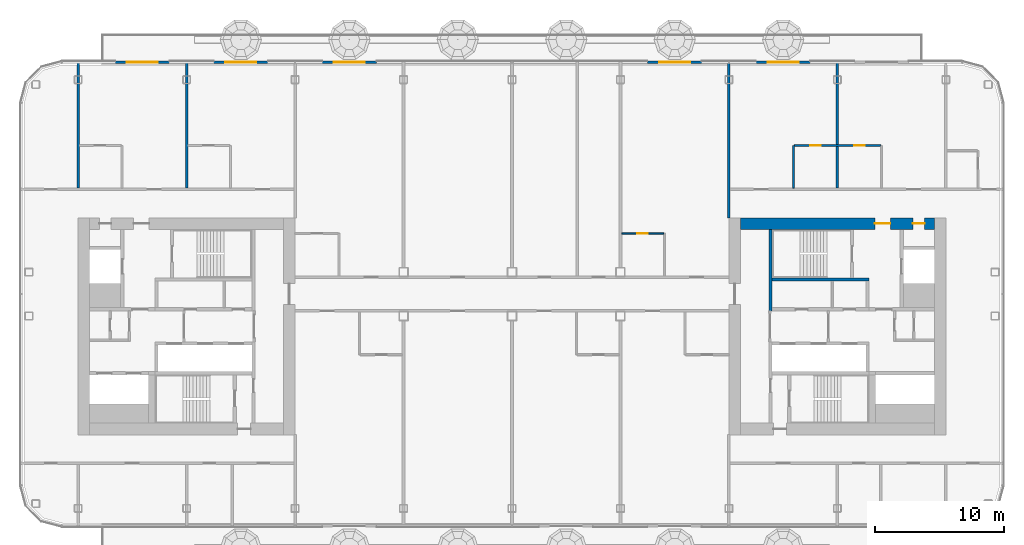
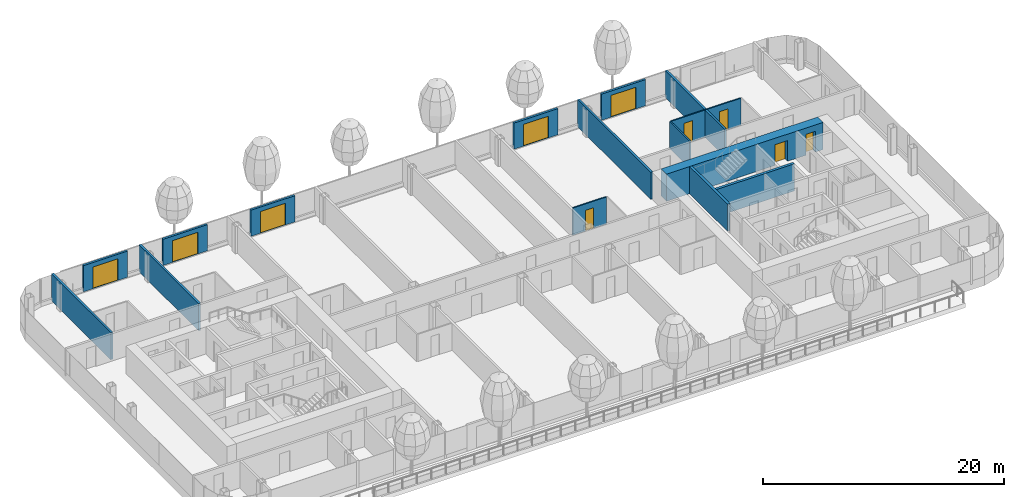
# One storey, part 14 of 28: 15 walls, 10 doors, 10 openings, 1 element without a shape of its own.
"""IFC4 building model written with IfcOpenShell, lengths in metres."""

from ifc_helpers import new_model, si_unit, direction, frame, frame_2d, origin, place, context, subcontext, project, spatial, rectangle, extrude, material, layer, layer_set, type_object, element, fill, aggregate, save


model = new_model("IFC4")

# Units and contexts
model_context = context("Model", 3, precision=1e-05, world=origin(), true_north=direction((0.0, 1.0)))
body_context = subcontext(model_context, "Body", "Model", "MODEL_VIEW")
ifc_project = project(units=[si_unit("LENGTHUNIT", "METRE"), si_unit("AREAUNIT", "SQUARE_METRE"), si_unit("VOLUMEUNIT", "CUBIC_METRE"), si_unit("PLANEANGLEUNIT", "RADIAN"), si_unit("MASSUNIT", "GRAM", prefix="KILO")], contexts=[model_context])

# Site, building, storey
site_placement = place(None, origin())
site = spatial("IfcSite", under=ifc_project, at=site_placement, CompositionType="ELEMENT")
building_placement = place(site_placement, origin())
building = spatial("IfcBuilding", under=site, at=building_placement, Name="Hakoniwa Tower and Hamabe Station Hall", CompositionType="ELEMENT")
storey_placement = place(building_placement, frame((0.0, 0.0, 218.60009765625)))
storey = spatial("IfcBuildingStorey", under=building, at=storey_placement, Name="L62", CompositionType="ELEMENT", Elevation=218.60009765625)

# Wall, opening, door
ifc_material_1 = material(Name="Gypsum board partition", Category="gypsum")
ifc_layer_1 = layer(ifc_material_1, 0.125)
ifc_layer_set_1 = layer_set([ifc_layer_1], Name="Bathroom Partition 125")
wall_type_1 = type_object("IfcWallType", Name="Bathroom Partition 125", PredefinedType="PARTITIONING", material=ifc_layer_set_1)
wall_1_placement = place(storey_placement, frame((8.5, 7.199951171875, 0.0), z_axis=(0.0, 0.0, 1.0), x_axis=(1.0, 0.0, 0.0)))
wall_1 = element("IfcWall", 1, at=wall_1_placement, inside=storey, type_object=wall_type_1, Name="GW-L62-009", PredefinedType="PARTITIONING", context=body_context, shape_type="SweptSolid", body=[
    extrude(rectangle(XDim=3.237548828125, YDim=0.125, at=frame_2d((1.61865234375, 0.0))), origin(), (0.0, 0.0, 1.0), 2.75),
])
opening_1_placement = place(wall_1_placement, frame((1.199951171875, 0.0, 0.0)))
opening_1 = element("IfcOpeningElement", 2, at=opening_1_placement, cuts=wall_1, Name="Opening GD-G4A2-22", PredefinedType="OPENING", context=body_context, shape_type="SweptSolid", body=[
    extrude(rectangle(XDim=0.800048828125, YDim=2.10009765625, at=frame_2d((0.39990234375, 1.050048828125))), frame((0.0, 0.072509765625, 0.0), z_axis=(0.0, -1.0, 0.0), x_axis=(1.0, 0.0, 0.0)), (0.0, 0.0, 1.0), 0.14501953125),
])
ifc_material_2 = material(Name="Timber door leaf", Category="wood")
door_type_1 = type_object("IfcDoorType", Name="Bathroom Door 800", OperationType="SINGLE_SWING_LEFT", PredefinedType="DOOR", material=ifc_material_2)
door_1_placement = place(opening_1_placement, origin())
door_1 = element("IfcDoor", 3, at=door_1_placement, inside=storey, type_object=door_type_1, Name="Door GD-G4A2-22", OperationType="SINGLE_SWING_RIGHT", OverallHeight=2.10009765625, OverallWidth=0.800048828125, PredefinedType="DOOR", context=body_context, shape_type="SweptSolid", body=[
    extrude(rectangle(XDim=0.800048828125, YDim=2.10009765625, at=frame_2d((0.39990234375, 1.050048828125))), frame((0.0, 0.02490234375, 0.0), z_axis=(0.0, -1.0, 0.0), x_axis=(1.0, 0.0, 0.0)), (0.0, 0.0, 1.0), 0.050048828125),
])
fill(opening_1, door_1)

# Wall, openings, doors
wall_2_placement = place(storey_placement, frame((21.862548828125, 14.0, 0.0), z_axis=(0.0, 0.0, 1.0), x_axis=(1.0, 0.0, 0.0)))
wall_2 = element("IfcWall", 4, at=wall_2_placement, inside=storey, type_object=wall_type_1, Name="GW-L62-015", PredefinedType="PARTITIONING", context=body_context, shape_type="SweptSolid", body=[
    extrude(rectangle(XDim=6.675048828125, YDim=0.125, at=frame_2d((3.33740234375, 0.0))), origin(), (0.0, 0.0, 1.0), 2.75),
])
opening_2_placement = place(wall_2_placement, frame((1.237548828125, 0.0, 0.0)))
opening_2 = element("IfcOpeningElement", 5, at=opening_2_placement, cuts=wall_2, Name="Opening GD-G4A2-31", PredefinedType="OPENING", context=body_context, shape_type="SweptSolid", body=[
    extrude(rectangle(XDim=0.800048828125, YDim=2.10009765625, at=frame_2d((0.39990234375, 1.050048828125))), frame((0.0, 0.072509765625, 0.0), z_axis=(0.0, -1.0, 0.0), x_axis=(1.0, 0.0, 0.0)), (0.0, 0.0, 1.0), 0.14501953125),
])
opening_3_placement = place(wall_2_placement, frame((4.637451171875, 0.0, 0.0)))
opening_3 = element("IfcOpeningElement", 6, at=opening_3_placement, cuts=wall_2, Name="Opening GD-G4A2-32", PredefinedType="OPENING", context=body_context, shape_type="SweptSolid", body=[
    extrude(rectangle(XDim=0.800048828125, YDim=2.10009765625, at=frame_2d((0.39990234375, 1.050048828125))), frame((0.0, 0.072509765625, 0.0), z_axis=(0.0, -1.0, 0.0), x_axis=(1.0, 0.0, 0.0)), (0.0, 0.0, 1.0), 0.14501953125),
])
door_2_placement = place(opening_2_placement, origin())
door_2 = element("IfcDoor", 7, at=door_2_placement, inside=storey, type_object=door_type_1, Name="Door GD-G4A2-31", OperationType="SINGLE_SWING_RIGHT", OverallHeight=2.10009765625, OverallWidth=0.800048828125, PredefinedType="DOOR", context=body_context, shape_type="SweptSolid", body=[
    extrude(rectangle(XDim=0.800048828125, YDim=2.10009765625, at=frame_2d((0.39990234375, 1.050048828125))), frame((0.0, 0.02490234375, 0.0), z_axis=(0.0, -1.0, 0.0), x_axis=(1.0, 0.0, 0.0)), (0.0, 0.0, 1.0), 0.050048828125),
])
fill(opening_2, door_2)
door_3_placement = place(opening_3_placement, origin())
door_3 = element("IfcDoor", 8, at=door_3_placement, inside=storey, type_object=door_type_1, Name="Door GD-G4A2-32", OperationType="SINGLE_SWING_LEFT", OverallHeight=2.10009765625, OverallWidth=0.800048828125, PredefinedType="DOOR", context=body_context, shape_type="SweptSolid", body=[
    extrude(rectangle(XDim=0.800048828125, YDim=2.10009765625, at=frame_2d((0.39990234375, 1.050048828125))), frame((0.0, 0.02490234375, 0.0), z_axis=(0.0, -1.0, 0.0), x_axis=(1.0, 0.0, 0.0)), (0.0, 0.0, 1.0), 0.050048828125),
])
fill(opening_3, door_3)

# Wall
wall_3_placement = place(storey_placement, frame((21.800048828125, 10.699951171875, 0.0), z_axis=(0.0, 0.0, 1.0), x_axis=(0.0, 1.0, 0.0)))
element("IfcWall", 9, at=wall_3_placement, inside=storey, type_object=wall_type_1, Name="GW-L62-039", PredefinedType="PARTITIONING", context=body_context, shape_type="SweptSolid", body=[
    extrude(rectangle(XDim=3.300048828125, YDim=0.125, at=frame_2d((1.64990234375, 0.0))), origin(), (0.0, 0.0, 1.0), 2.75),
])

# Wall, openings, doors
ifc_material_3 = material(Name="Concrete C60", Category="concrete")
ifc_layer_2 = layer(ifc_material_3, 0.89990234375)
ifc_layer_set_2 = layer_set([ifc_layer_2], Name="CORE WALL 900 C60")
wall_type_2 = type_object("IfcWallType", Name="CORE WALL 900 C60", PredefinedType="SHEAR", material=ifc_layer_set_2)
wall_4_placement = place(storey_placement, frame((17.699951171875, 7.949951171875, 0.0), z_axis=(0.0, 0.0, 1.0), x_axis=(1.0, 0.0, 0.0)))
wall_4 = element("IfcWall", 10, at=wall_4_placement, inside=storey, type_object=wall_type_2, Name="Core wall NORTH east", PredefinedType="SHEAR", context=body_context, shape_type="SweptSolid", body=[
    extrude(rectangle(XDim=15.0, YDim=0.89990234375, at=frame_2d((7.5, 0.0))), origin(), (0.0, 0.0, 1.0), 2.75),
])
opening_4_placement = place(wall_4_placement, frame((10.39990234375, 0.0, 0.0)))
opening_4 = element("IfcOpeningElement", 11, at=opening_4_placement, cuts=wall_4, Name="Opening CD-E-FN1-12", PredefinedType="OPENING", context=body_context, shape_type="SweptSolid", body=[
    extrude(rectangle(XDim=1.199951171875, YDim=2.10009765625, at=frame_2d((0.60009765625, 1.050048828125))), frame((0.0, 0.4599609375, 0.0), z_axis=(0.0, -1.0, 0.0), x_axis=(1.0, 0.0, 0.0)), (0.0, 0.0, 1.0), 0.919921875),
])
opening_5_placement = place(wall_4_placement, frame((13.35009765625, 0.0, 0.0)))
opening_5 = element("IfcOpeningElement", 12, at=opening_5_placement, cuts=wall_4, Name="Opening CD-E-FN2-9", PredefinedType="OPENING", context=body_context, shape_type="SweptSolid", body=[
    extrude(rectangle(XDim=0.89990234375, YDim=2.10009765625, at=frame_2d((0.449951171875, 1.050048828125))), frame((0.0, 0.4599609375, 0.0), z_axis=(0.0, -1.0, 0.0), x_axis=(1.0, 0.0, 0.0)), (0.0, 0.0, 1.0), 0.919921875),
])
ifc_material_4 = material(Name="Steel fire door", Category="steel")
door_type_2 = type_object("IfcDoorType", Name="CORE DOOR 1200 FD60", OperationType="DOUBLE_DOOR_SINGLE_SWING", PredefinedType="DOOR", material=ifc_material_4)
door_4_placement = place(opening_4_placement, origin())
door_4 = element("IfcDoor", 13, at=door_4_placement, inside=storey, type_object=door_type_2, Name="Stair vestibule door to the fire-fighting lobby", OperationType="DOUBLE_DOOR_SINGLE_SWING", OverallHeight=2.10009765625, OverallWidth=1.199951171875, PredefinedType="DOOR", context=body_context, shape_type="SweptSolid", body=[
    extrude(rectangle(XDim=1.199951171875, YDim=2.10009765625, at=frame_2d((0.60009765625, 1.050048828125))), frame((0.0, 0.02490234375, 0.0), z_axis=(0.0, -1.0, 0.0), x_axis=(1.0, 0.0, 0.0)), (0.0, 0.0, 1.0), 0.050048828125),
])
fill(opening_4, door_4)
ifc_material_5 = material(Name="Steel fire door", Category="steel")
door_type_3 = type_object("IfcDoorType", Name="CORE DOOR 900 FD30", OperationType="NOTDEFINED", PredefinedType="DOOR", material=ifc_material_5)
door_5_placement = place(opening_5_placement, origin())
door_5 = element("IfcDoor", 14, at=door_5_placement, inside=storey, type_object=door_type_3, Name="Riser access door", OperationType="SINGLE_SWING_RIGHT", OverallHeight=2.10009765625, OverallWidth=0.89990234375, PredefinedType="DOOR", context=body_context, shape_type="SweptSolid", body=[
    extrude(rectangle(XDim=0.89990234375, YDim=2.10009765625, at=frame_2d((0.449951171875, 1.050048828125))), frame((0.0, 0.02490234375, 0.0), z_axis=(0.0, -1.0, 0.0), x_axis=(1.0, 0.0, 0.0)), (0.0, 0.0, 1.0), 0.050048828125),
])
fill(opening_5, door_5)

# Walls
ifc_material_6 = material(Name="Concrete C60", Category="concrete")
ifc_layer_3 = layer(ifc_material_6, 0.25)
ifc_layer_set_3 = layer_set([ifc_layer_3], Name="CORE WEB WALL 250 C60")
wall_type_3 = type_object("IfcWallType", Name="CORE WEB WALL 250 C60", PredefinedType="SHEAR", material=ifc_layer_set_3)
wall_5_placement = place(storey_placement, frame((20.02490234375, 1.199951171875, 0.0), z_axis=(0.0, 0.0, 1.0), x_axis=(0.0, 1.0, 0.0)))
element("IfcWall", 15, at=wall_5_placement, inside=storey, type_object=wall_type_3, Name="Core wall W1N east", PredefinedType="SHEAR", context=body_context, shape_type="SweptSolid", body=[
    extrude(rectangle(XDim=6.300048828125, YDim=0.25, at=frame_2d((3.14990234375, 0.0))), origin(), (0.0, 0.0, 1.0), 2.75),
])
wall_6_placement = place(storey_placement, frame((20.14990234375, 3.625, 0.0), z_axis=(0.0, 0.0, 1.0), x_axis=(1.0, 0.0, 0.0)))
element("IfcWall", 16, at=wall_6_placement, inside=storey, type_object=wall_type_3, Name="Core wall NR east", PredefinedType="SHEAR", context=body_context, shape_type="SweptSolid", body=[
    extrude(rectangle(XDim=7.5, YDim=0.25, at=frame_2d((3.75, 0.0))), origin(), (0.0, 0.0, 1.0), 2.75),
])

# Curtain wall, walls, openings, doors
ifc_material_7 = material(Name="Dark low-e laminated glass", Category="glass")
ifc_layer_4 = layer(ifc_material_7, 0.199951171875)
ifc_layer_set_4 = layer_set([ifc_layer_4], Name="CW-1 UNITISED GUEST")
curtain_wall_type = type_object("IfcCurtainWallType", Name="CW-1 UNITISED GUEST", PredefinedType="NOTDEFINED", material=ifc_layer_set_4)
curtain_wall_placement = place(storey_placement, origin())
curtain_wall = element("IfcCurtainWall", 17, at=curtain_wall_placement, inside=storey, type_object=curtain_wall_type, Name="CW-1 curtain wall", PredefinedType="NOTDEFINED")
ifc_material_8 = material(Name="Dark glass-faced aluminium panel", Category="aluminium")
ifc_layer_5 = layer(ifc_material_8, 0.199951171875)
ifc_layer_set_5 = layer_set([ifc_layer_5], Name="DOOR BAY WALL")
wall_type_4 = type_object("IfcWallType", Name="DOOR BAY WALL", PredefinedType="NOTDEFINED", material=ifc_layer_set_5)
wall_7_placement = place(storey_placement, frame((23.110107421875, 20.449951171875, 0.0), z_axis=(0.0, 0.0, 1.0), x_axis=(-1.0, 0.0, 0.0)))
wall_7 = element("IfcWall", 18, at=wall_7_placement, type_object=wall_type_4, Name="Door bay wall", PredefinedType="NOTDEFINED", context=body_context, shape_type="SweptSolid", body=[
    extrude(rectangle(XDim=4.22021484375, YDim=0.199951171875, at=frame_2d((2.110107421875, 0.0))), origin(), (0.0, 0.0, 1.0), 2.64990234375),
])
opening_6_placement = place(wall_7_placement, frame((0.909912109375, 0.0, 0.0)))
opening_6 = element("IfcOpeningElement", 19, at=opening_6_placement, cuts=wall_7, Name="Opening BD-N03-6", PredefinedType="OPENING", context=body_context, shape_type="SweptSolid", body=[
    extrude(rectangle(XDim=2.39990234375, YDim=2.199951171875, at=frame_2d((1.199951171875, 1.10009765625))), frame((0.0, 0.10986328125, 0.0), z_axis=(0.0, -1.0, 0.0), x_axis=(1.0, 0.0, 0.0)), (0.0, 0.0, 1.0), 0.219970703125),
])
ifc_material_9 = material(Name="Dark low-e laminated glass", Category="glass")
door_type_4 = type_object("IfcDoorType", Name="BALCONY SLIDING DOOR 2400X2200", OperationType="SLIDING_TO_LEFT", PredefinedType="DOOR", material=ifc_material_9)
door_6_placement = place(opening_6_placement, frame((2.39990234375, 0.0, 0.0), z_axis=(0.0, 0.0, 1.0), x_axis=(-1.0, 0.0, 0.0)))
door_6 = element("IfcDoor", 20, at=door_6_placement, inside=storey, type_object=door_type_4, Name="Balcony sliding door", OperationType="SLIDING_TO_LEFT", OverallHeight=2.199951171875, OverallWidth=2.39990234375, PredefinedType="DOOR", context=body_context, shape_type="SweptSolid", body=[
    extrude(rectangle(XDim=2.39990234375, YDim=2.199951171875, at=frame_2d((1.199951171875, 1.10009765625))), frame((0.0, 0.02490234375, 0.0), z_axis=(0.0, -1.0, 0.0), x_axis=(1.0, 0.0, 0.0)), (0.0, 0.0, 1.0), 0.050048828125),
])
fill(opening_6, door_6)
wall_8_placement = place(storey_placement, frame((14.7099609375, 20.449951171875, 0.0), z_axis=(0.0, 0.0, 1.0), x_axis=(-1.0, 0.0, 0.0)))
wall_8 = element("IfcWall", 21, at=wall_8_placement, type_object=wall_type_4, Name="Door bay wall", PredefinedType="NOTDEFINED", context=body_context, shape_type="SweptSolid", body=[
    extrude(rectangle(XDim=4.219970703125, YDim=0.199951171875, at=frame_2d((2.10986328125, 0.0))), origin(), (0.0, 0.0, 1.0), 2.64990234375),
])
opening_7_placement = place(wall_8_placement, frame((0.909912109375, 0.0, 0.0)))
opening_7 = element("IfcOpeningElement", 22, at=opening_7_placement, cuts=wall_8, Name="Opening BD-N03-2", PredefinedType="OPENING", context=body_context, shape_type="SweptSolid", body=[
    extrude(rectangle(XDim=2.39990234375, YDim=2.199951171875, at=frame_2d((1.199951171875, 1.10009765625))), frame((0.0, 0.10986328125, 0.0), z_axis=(0.0, -1.0, 0.0), x_axis=(1.0, 0.0, 0.0)), (0.0, 0.0, 1.0), 0.219970703125),
])
door_7_placement = place(opening_7_placement, frame((2.39990234375, 0.0, 0.0), z_axis=(0.0, 0.0, 1.0), x_axis=(-1.0, 0.0, 0.0)))
door_7 = element("IfcDoor", 23, at=door_7_placement, inside=storey, type_object=door_type_4, Name="Balcony sliding door", OperationType="SLIDING_TO_LEFT", OverallHeight=2.199951171875, OverallWidth=2.39990234375, PredefinedType="DOOR", context=body_context, shape_type="SweptSolid", body=[
    extrude(rectangle(XDim=2.39990234375, YDim=2.199951171875, at=frame_2d((1.199951171875, 1.10009765625))), frame((0.0, 0.02490234375, 0.0), z_axis=(0.0, -1.0, 0.0), x_axis=(1.0, 0.0, 0.0)), (0.0, 0.0, 1.0), 0.050048828125),
])
fill(opening_7, door_7)
wall_9_placement = place(storey_placement, frame((-10.489990234375, 20.449951171875, 0.0), z_axis=(0.0, 0.0, 1.0), x_axis=(-1.0, 0.0, 0.0)))
wall_9 = element("IfcWall", 24, at=wall_9_placement, type_object=wall_type_4, Name="Door bay wall", PredefinedType="NOTDEFINED", context=body_context, shape_type="SweptSolid", body=[
    extrude(rectangle(XDim=4.219970703125, YDim=0.199951171875, at=frame_2d((2.10986328125, 0.0))), origin(), (0.0, 0.0, 1.0), 2.64990234375),
])
opening_8_placement = place(wall_9_placement, frame((0.909912109375, 0.0, 0.0)))
opening_8 = element("IfcOpeningElement", 25, at=opening_8_placement, cuts=wall_9, Name="Opening BD-N03-1", PredefinedType="OPENING", context=body_context, shape_type="SweptSolid", body=[
    extrude(rectangle(XDim=2.39990234375, YDim=2.199951171875, at=frame_2d((1.199951171875, 1.10009765625))), frame((0.0, 0.10986328125, 0.0), z_axis=(0.0, -1.0, 0.0), x_axis=(1.0, 0.0, 0.0)), (0.0, 0.0, 1.0), 0.219970703125),
])
door_8_placement = place(opening_8_placement, frame((2.39990234375, 0.0, 0.0), z_axis=(0.0, 0.0, 1.0), x_axis=(-1.0, 0.0, 0.0)))
door_8 = element("IfcDoor", 26, at=door_8_placement, inside=storey, type_object=door_type_4, Name="Balcony sliding door", OperationType="SLIDING_TO_LEFT", OverallHeight=2.199951171875, OverallWidth=2.39990234375, PredefinedType="DOOR", context=body_context, shape_type="SweptSolid", body=[
    extrude(rectangle(XDim=2.39990234375, YDim=2.199951171875, at=frame_2d((1.199951171875, 1.10009765625))), frame((0.0, 0.02490234375, 0.0), z_axis=(0.0, -1.0, 0.0), x_axis=(1.0, 0.0, 0.0)), (0.0, 0.0, 1.0), 0.050048828125),
])
fill(opening_8, door_8)
wall_10_placement = place(storey_placement, frame((-18.889892578125, 20.449951171875, 0.0), z_axis=(0.0, 0.0, 1.0), x_axis=(-1.0, 0.0, 0.0)))
wall_10 = element("IfcWall", 27, at=wall_10_placement, type_object=wall_type_4, Name="Door bay wall", PredefinedType="NOTDEFINED", context=body_context, shape_type="SweptSolid", body=[
    extrude(rectangle(XDim=4.22021484375, YDim=0.199951171875, at=frame_2d((2.110107421875, 0.0))), origin(), (0.0, 0.0, 1.0), 2.64990234375),
])
opening_9_placement = place(wall_10_placement, frame((0.909912109375, 0.0, 0.0)))
opening_9 = element("IfcOpeningElement", 28, at=opening_9_placement, cuts=wall_10, Name="Opening BD-N03-9", PredefinedType="OPENING", context=body_context, shape_type="SweptSolid", body=[
    extrude(rectangle(XDim=2.39990234375, YDim=2.199951171875, at=frame_2d((1.199951171875, 1.10009765625))), frame((0.0, 0.10986328125, 0.0), z_axis=(0.0, -1.0, 0.0), x_axis=(1.0, 0.0, 0.0)), (0.0, 0.0, 1.0), 0.219970703125),
])
door_9_placement = place(opening_9_placement, frame((2.39990234375, 0.0, 0.0), z_axis=(0.0, 0.0, 1.0), x_axis=(-1.0, 0.0, 0.0)))
door_9 = element("IfcDoor", 29, at=door_9_placement, inside=storey, type_object=door_type_4, Name="Balcony sliding door", OperationType="SLIDING_TO_LEFT", OverallHeight=2.199951171875, OverallWidth=2.39990234375, PredefinedType="DOOR", context=body_context, shape_type="SweptSolid", body=[
    extrude(rectangle(XDim=2.39990234375, YDim=2.199951171875, at=frame_2d((1.199951171875, 1.10009765625))), frame((0.0, 0.02490234375, 0.0), z_axis=(0.0, -1.0, 0.0), x_axis=(1.0, 0.0, 0.0)), (0.0, 0.0, 1.0), 0.050048828125),
])
fill(opening_9, door_9)
wall_11_placement = place(storey_placement, frame((-26.514892578125, 20.449951171875, 0.0), z_axis=(0.0, 0.0, 1.0), x_axis=(-1.0, 0.0, 0.0)))
wall_11 = element("IfcWall", 30, at=wall_11_placement, type_object=wall_type_4, Name="Door bay wall", PredefinedType="NOTDEFINED", context=body_context, shape_type="SweptSolid", body=[
    extrude(rectangle(XDim=4.22021484375, YDim=0.199951171875, at=frame_2d((2.110107421875, 0.0))), origin(), (0.0, 0.0, 1.0), 2.64990234375),
])
opening_10_placement = place(wall_11_placement, frame((0.909912109375, 0.0, 0.0)))
opening_10 = element("IfcOpeningElement", 31, at=opening_10_placement, cuts=wall_11, Name="Opening BD-N03-8", PredefinedType="OPENING", context=body_context, shape_type="SweptSolid", body=[
    extrude(rectangle(XDim=2.39990234375, YDim=2.199951171875, at=frame_2d((1.199951171875, 1.10009765625))), frame((0.0, 0.10986328125, 0.0), z_axis=(0.0, -1.0, 0.0), x_axis=(1.0, 0.0, 0.0)), (0.0, 0.0, 1.0), 0.219970703125),
])
door_10_placement = place(opening_10_placement, frame((2.39990234375, 0.0, 0.0), z_axis=(0.0, 0.0, 1.0), x_axis=(-1.0, 0.0, 0.0)))
door_10 = element("IfcDoor", 32, at=door_10_placement, inside=storey, type_object=door_type_4, Name="Balcony sliding door", OperationType="SLIDING_TO_LEFT", OverallHeight=2.199951171875, OverallWidth=2.39990234375, PredefinedType="DOOR", context=body_context, shape_type="SweptSolid", body=[
    extrude(rectangle(XDim=2.39990234375, YDim=2.199951171875, at=frame_2d((1.199951171875, 1.10009765625))), frame((0.0, 0.02490234375, 0.0), z_axis=(0.0, -1.0, 0.0), x_axis=(1.0, 0.0, 0.0)), (0.0, 0.0, 1.0), 0.050048828125),
])
fill(opening_10, door_10)
aggregate(curtain_wall, [wall_7, wall_8, wall_9, wall_10, wall_11])

# Walls
ifc_material_10 = material(Name="Fire-rated gypsum board partition", Category="gypsum")
ifc_layer_6 = layer(ifc_material_10, 0.199951171875)
ifc_layer_set_6 = layer_set([ifc_layer_6], Name="Party Wall 200")
wall_type_5 = type_object("IfcWallType", Name="Party Wall 200", PredefinedType="PARTITIONING", material=ifc_layer_set_6)
for number, where, z_axis, x_axis, name in (
    (33, (-33.60009765625, 10.699951171875, 0.0), (0.0, 0.0, 1.0), (0.0, 1.0, 0.0), "GW-L62-017"),
    (34, (-25.199951171875, 10.699951171875, 0.0), (0.0, 0.0, 1.0), (0.0, 1.0, 0.0), "GW-L62-020"),
):
    element("IfcWall", number, at=place(storey_placement, frame(where, z_axis=z_axis, x_axis=x_axis)), inside=storey, type_object=wall_type_5, Name=name, PredefinedType="PARTITIONING", context=body_context, shape_type="SweptSolid", body=[
        extrude(rectangle(XDim=9.85009765625, YDim=0.199951171875, at=frame_2d((4.925048828125, 0.0))), origin(), (0.0, 0.0, 1.0), 2.75),
    ])
wall_12_placement = place(storey_placement, frame((16.800048828125, 8.389892578125, 0.0), z_axis=(0.0, 0.0, 1.0), x_axis=(0.0, 1.0, 0.0)))
element("IfcWall", 35, at=wall_12_placement, inside=storey, type_object=wall_type_5, Name="GW-L62-038", PredefinedType="PARTITIONING", context=body_context, shape_type="SweptSolid", body=[
    extrude(rectangle(XDim=12.16015625, YDim=0.199951171875, at=frame_2d((6.080078125, 0.0))), origin(), (0.0, 0.0, 1.0), 2.75),
])
wall_13_placement = place(storey_placement, frame((25.199951171875, 10.699951171875, 0.0), z_axis=(0.0, 0.0, 1.0), x_axis=(0.0, 1.0, 0.0)))
element("IfcWall", 36, at=wall_13_placement, inside=storey, type_object=wall_type_5, Name="GW-L62-041", PredefinedType="PARTITIONING", context=body_context, shape_type="SweptSolid", body=[
    extrude(rectangle(XDim=9.85009765625, YDim=0.199951171875, at=frame_2d((4.925048828125, 0.0))), origin(), (0.0, 0.0, 1.0), 2.75),
])

save(model, "model.ifc")
